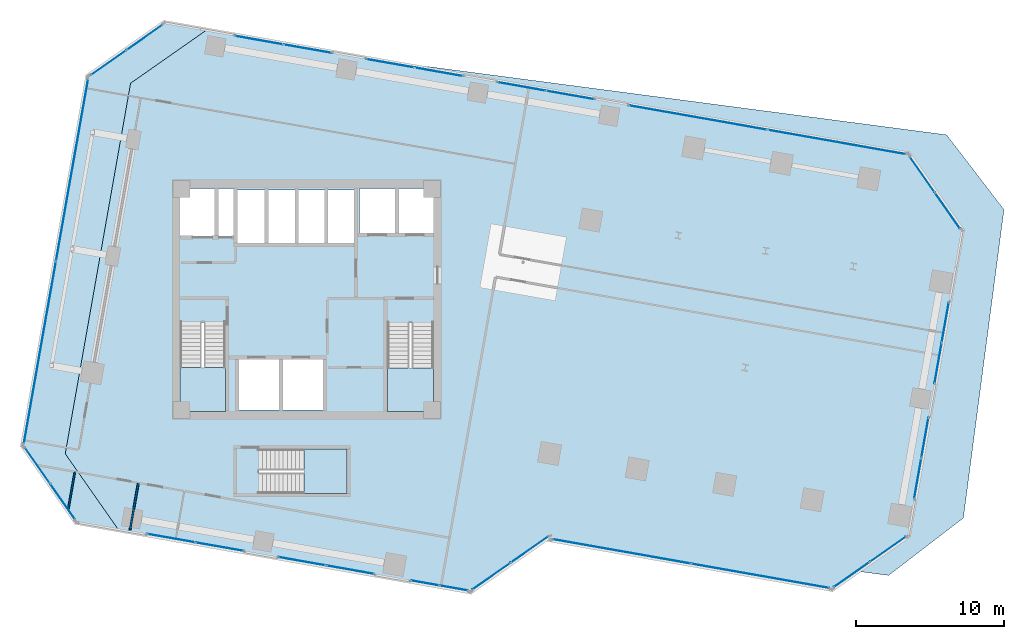
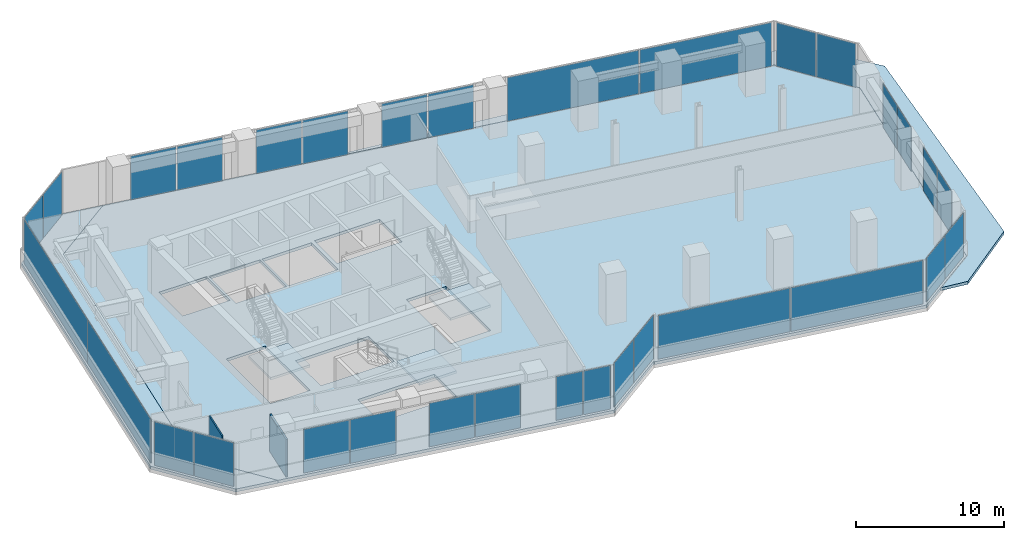
# One storey, part 18 of 24: 32 plates, 6 slabs, 2 walls, 19 elements without a shape of their own.
"""IFC4 building model written with IfcOpenShell, lengths in metres."""

from ifc_helpers import new_model, si_unit, direction, frame, frame_2d, origin, origin_2d, place, context, subcontext, project, spatial, polyline, rectangle, outline, extrude, source, transform, mapped, material, layer, layer_set, type_object, element, aggregate, save


model = new_model("IFC4")

# Units and contexts
model_context = context("Model", 3, precision=1e-05, world=origin(), true_north=direction((0.0, 1.0)))
body_context = subcontext(model_context, "Body", "Model", "MODEL_VIEW")
ifc_project = project(units=[si_unit("LENGTHUNIT", "METRE"), si_unit("AREAUNIT", "SQUARE_METRE"), si_unit("VOLUMEUNIT", "CUBIC_METRE"), si_unit("PLANEANGLEUNIT", "RADIAN"), si_unit("MASSUNIT", "GRAM", prefix="KILO")], contexts=[model_context])

# Site, building, storey
site_placement = place(None, origin())
site = spatial("IfcSite", under=ifc_project, at=site_placement, CompositionType="ELEMENT")
building_placement = place(site_placement, origin())
building = spatial("IfcBuilding", under=site, at=building_placement, Name="Torre Montelarca", CompositionType="ELEMENT")
storey_placement = place(building_placement, frame((0.0, 0.0, 74.800048828125)))
storey = spatial("IfcBuildingStorey", under=building, at=storey_placement, Name="L16", CompositionType="ELEMENT", Elevation=74.800048828125)

# Slabs
ifc_material_1 = material(Name="Concrete C40/50", Category="concrete")
ifc_layer_1 = layer(ifc_material_1, 0.239990234375, Name="Concrete C40/50", Category="concrete")
ifc_layer_set_1 = layer_set([ifc_layer_1], Name="Concrete C40/50")
slab_type_1 = type_object("IfcSlabType", Name="SL-FLR-240", PredefinedType="FLOOR", material=ifc_layer_set_1)
slab_1_placement = place(storey_placement, frame((0.0, 0.0, -0.239990234375)))
element("IfcSlab", 1, at=slab_1_placement, inside=storey, type_object=slab_type_1, Name="L16 Structural Floor Slab", PredefinedType="FLOOR", context=body_context, shape_type="SweptSolid", body=[
    extrude(outline(polyline([(29.073974609375, 12.18359375), (34.287109375, 15.833984375), (34.269775390625, 15.735595703125), (53.473388671875, 12.349365234375), (58.6865234375, 15.99951171875), (62.3330078125, 36.680419921875), (58.682861328125, 41.8935546875), (11.313720703125, 50.24609375), (6.1005859375, 46.595703125), (1.68994140625, 21.581787109375), (5.340087890625, 16.36865234375), (29.073974609375, 12.18359375)]), holes=[polyline([(20.699951171875, 18.89990234375), (14.760009765625, 18.89990234375), (14.760009765625, 21.889892578125), (20.699951171875, 21.889892578125), (20.699951171875, 18.89990234375)]), polyline([(19.10009765625, 24.550048828125), (13.39990234375, 24.550048828125), (13.39990234375, 27.949951171875), (19.10009765625, 27.949951171875), (19.10009765625, 24.550048828125)]), polyline([(23.43994140625, 24.449951171875), (23.43994140625, 30.429931640625), (26.550048828125, 30.429931640625), (26.550048828125, 24.449951171875), (23.43994140625, 24.449951171875)]), polyline([(9.449951171875, 24.449951171875), (9.449951171875, 30.4599609375), (12.5, 30.4599609375), (12.5, 24.449951171875), (9.449951171875, 24.449951171875)]), polyline([(17.25, 35.800048828125), (13.300048828125, 35.800048828125), (13.300048828125, 39.39990234375), (17.25, 39.39990234375), (17.25, 35.800048828125)]), polyline([(21.25, 35.800048828125), (17.39990234375, 35.800048828125), (17.39990234375, 39.39990234375), (21.25, 39.39990234375), (21.25, 35.800048828125)]), polyline([(13.1201171875, 36.300048828125), (9.449951171875, 36.300048828125), (9.449951171875, 39.5), (13.1201171875, 39.5), (13.1201171875, 36.300048828125)]), polyline([(26.60009765625, 36.449951171875), (21.550048828125, 36.449951171875), (21.550048828125, 39.5), (26.60009765625, 39.5), (26.60009765625, 36.449951171875)])]), origin(), (0.0, 0.0, 1.0), 0.239990234375),
])
slab_2_placement = place(storey_placement, frame((0.0, 0.0, -0.239990234375)))
element("IfcSlab", 2, at=slab_2_placement, inside=storey, type_object=slab_type_1, Name="L16 Sliding Tray Winter Garden Floor Slab W1", PredefinedType="FLOOR", context=body_context, shape_type="SweptSolid", body=[
    extrude(outline(polyline([(5.340087890625, 16.36865234375), (1.68994140625, 21.581787109375), (6.1005859375, 46.595703125), (11.313720703125, 50.24609375), (8.359130859375, 50.76708984375), (3.146240234375, 47.11669921875), (-1.264404296875, 22.102783203125), (2.3857421875, 16.8896484375), (5.340087890625, 16.36865234375)])), origin(), (0.0, 0.0, 1.0), 0.239990234375),
])
ifc_material_2 = material(Name="Architectural concrete C40/50", Category="concrete")
ifc_layer_2 = layer(ifc_material_2, 0.239990234375, Name="Architectural concrete C40/50", Category="concrete")
ifc_layer_set_2 = layer_set([ifc_layer_2], Name="Architectural concrete C40/50")
slab_type_2 = type_object("IfcSlabType", Name="SL-ROOF-EXT-240", PredefinedType="ROOF", material=ifc_layer_set_2)
slab_3_placement = place(storey_placement, frame((0.0, 0.0, -0.239990234375)))
element("IfcSlab", 3, at=slab_3_placement, inside=storey, type_object=slab_type_2, Name="L15 Setback and Tray Overhang Roof Cap Slab 01", PredefinedType="ROOF", context=body_context, shape_type="SweptSolid", body=[
    extrude(outline(polyline([(58.6875, 41.90087890625), (62.341552734375, 36.682373046875), (58.69384765625, 15.994873046875), (55.315185546875, 13.629150390625), (57.2744140625, 13.37109375), (62.323486328125, 17.245361328125), (65.064453125, 38.065673828125), (61.190185546875, 43.114501953125), (24.14599609375, 47.991455078125), (58.6875, 41.90087890625)])), origin(), (0.0, 0.0, 1.0), 0.239990234375),
])

# Stair, slab
stair_type_1 = type_object("IfcStairType", Name="ST-CORE-ST1", PredefinedType="HALF_TURN_STAIR", material=ifc_material_1)
stair_1_placement = place(storey_placement, origin())
stair_1 = element("IfcStair", 4, at=stair_1_placement, inside=storey, type_object=stair_type_1, Name="L16 Protected Exit Stair ST1", PredefinedType="HALF_TURN_STAIR")
ifc_layer_3 = layer(ifc_material_1, 0.199951171875, Name="Concrete C40/50", Category="concrete")
ifc_layer_set_3 = layer_set([ifc_layer_3], Name="Concrete C40/50")
slab_type_3 = type_object("IfcSlabType", Name="SL-ST-LAND-ST1", PredefinedType="LANDING", material=ifc_layer_set_3)
slab_4_placement = place(storey_placement, frame((0.0, 0.0, 1.89990234375)))
slab_4 = element("IfcSlab", 5, at=slab_4_placement, type_object=slab_type_3, Name="ST1 landing 1", PredefinedType="LANDING", context=body_context, shape_type="SweptSolid", body=[
    extrude(outline(polyline([(9.449951171875, 27.419921875), (9.449951171875, 24.449951171875), (12.5, 24.449951171875), (12.5, 27.419921875), (9.449951171875, 27.419921875)])), origin(), (0.0, 0.0, 1.0), 0.199951171875),
])
aggregate(stair_1, [slab_4])

stair_type_2 = type_object("IfcStairType", Name="ST-CORE-ST2", PredefinedType="HALF_TURN_STAIR", material=ifc_material_1)
stair_2_placement = place(storey_placement, origin())
stair_2 = element("IfcStair", 6, at=stair_2_placement, inside=storey, type_object=stair_type_2, Name="L16 Protected Exit Stair ST2", PredefinedType="HALF_TURN_STAIR")
ifc_layer_4 = layer(ifc_material_1, 0.199951171875, Name="Concrete C40/50", Category="concrete")
ifc_layer_set_4 = layer_set([ifc_layer_4], Name="Concrete C40/50")
slab_type_4 = type_object("IfcSlabType", Name="SL-ST-LAND-ST2", PredefinedType="LANDING", material=ifc_layer_set_4)
slab_5_placement = place(storey_placement, frame((0.0, 0.0, 1.89990234375)))
slab_5 = element("IfcSlab", 7, at=slab_5_placement, type_object=slab_type_4, Name="ST2 landing 1", PredefinedType="LANDING", context=body_context, shape_type="SweptSolid", body=[
    extrude(outline(polyline([(23.43994140625, 27.389892578125), (23.43994140625, 24.449951171875), (26.550048828125, 24.449951171875), (26.550048828125, 27.389892578125), (23.43994140625, 27.389892578125)])), origin(), (0.0, 0.0, 1.0), 0.199951171875),
])
aggregate(stair_2, [slab_5])

stair_type_3 = type_object("IfcStairType", Name="ST-CORE-ST3", PredefinedType="HALF_TURN_STAIR", material=ifc_material_1)
stair_3_placement = place(storey_placement, origin())
stair_3 = element("IfcStair", 8, at=stair_3_placement, inside=storey, type_object=stair_type_3, Name="L16 Low-Rise Exit Stair ST3", PredefinedType="HALF_TURN_STAIR")
ifc_layer_5 = layer(ifc_material_1, 0.199951171875, Name="Concrete C40/50", Category="concrete")
ifc_layer_set_5 = layer_set([ifc_layer_5], Name="Concrete C40/50")
slab_type_5 = type_object("IfcSlabType", Name="SL-ST-LAND-ST3", PredefinedType="LANDING", material=ifc_layer_set_5)
slab_6_placement = place(storey_placement, frame((0.0, 0.0, 1.89990234375)))
slab_6 = element("IfcSlab", 9, at=slab_6_placement, type_object=slab_type_5, Name="ST3 landing 1", PredefinedType="LANDING", context=body_context, shape_type="SweptSolid", body=[
    extrude(outline(polyline([(17.800048828125, 18.89990234375), (20.699951171875, 18.89990234375), (20.699951171875, 21.889892578125), (17.800048828125, 21.889892578125), (17.800048828125, 18.89990234375)])), origin(), (0.0, 0.0, 1.0), 0.199951171875),
])
aggregate(stair_3, [slab_6])

# Curtain wall, plates
ifc_material_3 = material(Name="Insulated low-E laminated glass", Category="glass")
curtain_wall_type = type_object("IfcCurtainWallType", Name="CW-SYS-Z1", PredefinedType="USERDEFINED", material=ifc_material_3)
curtain_wall_1_placement = place(storey_placement, origin())
curtain_wall_1 = element("IfcCurtainWall", 10, at=curtain_wall_1_placement, inside=storey, type_object=curtain_wall_type, Name="L16 Curtain Wall Run CW-T3-L16-E05-B1", ObjectType="UNITISED GLAZING", PredefinedType="USERDEFINED")
ifc_layer_6 = layer(ifc_material_3, 0.028076171875, Name="Insulated low-E laminated glass", Category="glass")
ifc_layer_set_6 = layer_set([ifc_layer_6], Name="Insulated low-E laminated glass")
plate_type = type_object("IfcPlateType", Name="CWP-GLZ-28", PredefinedType="CURTAIN_PANEL", material=ifc_layer_set_6)
shared_shape_1 = source(origin(), body_context, "Body", "SweptSolid", [
    extrude(rectangle(XDim=2.918701171875, YDim=0.028076171875, at=origin_2d()), origin(), (0.0, 0.0, 1.0), 3.590087890625),
])
plate_1_placement = place(storey_placement, frame((54.783203125, 13.42529296875, 0.06494140625), z_axis=(0.0, 0.0, 1.0), x_axis=(0.819173505874, 0.573545784811, 0.0)))
plate_1 = element("IfcPlate", 11, at=plate_1_placement, type_object=plate_type, Name="CW panel 1.1", PredefinedType="CURTAIN_PANEL", context=body_context, shape_type="MappedRepresentation", body=[
    mapped(shared_shape_1, transform((0.0, 0.0, 0.0), scale=1.0)),
])
plate_2_placement = place(storey_placement, frame((57.227294921875, 15.136474609375, 0.06494140625), z_axis=(0.0, 0.0, 1.0), x_axis=(0.819173505874, 0.573545784811, 0.0)))
plate_2 = element("IfcPlate", 12, at=plate_2_placement, type_object=plate_type, Name="CW panel 2.1", PredefinedType="CURTAIN_PANEL", context=body_context, shape_type="MappedRepresentation", body=[
    mapped(shared_shape_1, transform((0.0, 0.0, 0.0), scale=1.0)),
])
aggregate(curtain_wall_1, [plate_1, plate_2])

curtain_wall_2_placement = place(storey_placement, origin())
curtain_wall_2 = element("IfcCurtainWall", 13, at=curtain_wall_2_placement, inside=storey, type_object=curtain_wall_type, Name="L16 Curtain Wall Run CW-T3-L16-E07-B1", ObjectType="UNITISED GLAZING", PredefinedType="USERDEFINED")
plate_3_placement = place(storey_placement, frame((61.257080078125, 37.990478515625, 0.06494140625), z_axis=(0.0, 0.0, 1.0), x_axis=(-0.573545784811, 0.819173505874, 0.0)))
plate_3 = element("IfcPlate", 14, at=plate_3_placement, type_object=plate_type, Name="CW panel 1.1", PredefinedType="CURTAIN_PANEL", context=body_context, shape_type="MappedRepresentation", body=[
    mapped(shared_shape_1, transform((0.0, 0.0, 0.0), scale=1.0)),
])
plate_4_placement = place(storey_placement, frame((59.5458984375, 40.4345703125, 0.06494140625), z_axis=(0.0, 0.0, 1.0), x_axis=(-0.573545784811, 0.819173505874, 0.0)))
plate_4 = element("IfcPlate", 15, at=plate_4_placement, type_object=plate_type, Name="CW panel 2.1", PredefinedType="CURTAIN_PANEL", context=body_context, shape_type="MappedRepresentation", body=[
    mapped(shared_shape_1, transform((0.0, 0.0, 0.0), scale=1.0)),
])
aggregate(curtain_wall_2, [plate_3, plate_4])

curtain_wall_3_placement = place(storey_placement, origin())
curtain_wall_3 = element("IfcCurtainWall", 16, at=curtain_wall_3_placement, inside=storey, type_object=curtain_wall_type, Name="L16 Curtain Wall Run CW-T3-L16-E09-B1", ObjectType="UNITISED GLAZING", PredefinedType="USERDEFINED")
plate_5_placement = place(storey_placement, frame((7.04931640625, 49.69091796875, 0.06494140625), z_axis=(0.0, 0.0, 1.0), x_axis=(-0.819168052546, -0.573553573511, 0.0)))
plate_5 = element("IfcPlate", 17, at=plate_5_placement, type_object=plate_type, Name="CW panel 1.1", PredefinedType="CURTAIN_PANEL", context=body_context, shape_type="MappedRepresentation", body=[
    mapped(shared_shape_1, transform((0.0, 0.0, 0.0), scale=1.0)),
])
plate_6_placement = place(storey_placement, frame((4.605224609375, 47.979736328125, 0.06494140625), z_axis=(0.0, 0.0, 1.0), x_axis=(-0.819168052546, -0.573553573511, 0.0)))
plate_6 = element("IfcPlate", 18, at=plate_6_placement, type_object=plate_type, Name="CW panel 2.1", PredefinedType="CURTAIN_PANEL", context=body_context, shape_type="MappedRepresentation", body=[
    mapped(shared_shape_1, transform((0.0, 0.0, 0.0), scale=1.0)),
])
aggregate(curtain_wall_3, [plate_5, plate_6])

curtain_wall_4_placement = place(storey_placement, origin())
curtain_wall_4 = element("IfcCurtainWall", 19, at=curtain_wall_4_placement, inside=storey, type_object=curtain_wall_type, Name="L16 Curtain Wall Run CW-T3-L16-E11-B1", ObjectType="UNITISED GLAZING", PredefinedType="USERDEFINED")
plate_7_placement = place(storey_placement, frame((-0.1884765625, 20.792724609375, 0.06494140625), z_axis=(0.0, 0.0, 1.0), x_axis=(0.573545784811, -0.819173505874, 0.0)))
plate_7 = element("IfcPlate", 20, at=plate_7_placement, type_object=plate_type, Name="CW panel 1.1", PredefinedType="CURTAIN_PANEL", context=body_context, shape_type="MappedRepresentation", body=[
    mapped(shared_shape_1, transform((0.0, 0.0, 0.0), scale=1.0)),
])
plate_8_placement = place(storey_placement, frame((1.522705078125, 18.3486328125, 0.06494140625), z_axis=(0.0, 0.0, 1.0), x_axis=(0.573545784811, -0.819173505874, 0.0)))
plate_8 = element("IfcPlate", 21, at=plate_8_placement, type_object=plate_type, Name="CW panel 2.1", PredefinedType="CURTAIN_PANEL", context=body_context, shape_type="MappedRepresentation", body=[
    mapped(shared_shape_1, transform((0.0, 0.0, 0.0), scale=1.0)),
])
aggregate(curtain_wall_4, [plate_7, plate_8])

curtain_wall_5_placement = place(storey_placement, origin())
curtain_wall_5 = element("IfcCurtainWall", 22, at=curtain_wall_5_placement, inside=storey, type_object=curtain_wall_type, Name="L16 Curtain Wall Run CW-T3-L16-E01-B1", ObjectType="UNITISED GLAZING", PredefinedType="USERDEFINED")
shared_shape_2 = source(origin(), body_context, "Body", "SweptSolid", [
    extrude(rectangle(XDim=3.2724609375, YDim=0.028076171875, at=origin_2d()), origin(), (0.0, 0.0, 1.0), 3.590087890625),
])
plate_9_placement = place(storey_placement, frame((8.84033203125, 15.883544921875, 0.06494140625), z_axis=(0.0, 0.0, 1.0), x_axis=(0.984807000305, -0.173652446425, 0.0)))
plate_9 = element("IfcPlate", 23, at=plate_9_placement, type_object=plate_type, Name="CW panel 1.1", PredefinedType="CURTAIN_PANEL", context=body_context, shape_type="MappedRepresentation", body=[
    mapped(shared_shape_2, transform((0.0, 0.0, 0.0), scale=1.0)),
])
plate_10_placement = place(storey_placement, frame((12.127197265625, 15.303955078125, 0.06494140625), z_axis=(0.0, 0.0, 1.0), x_axis=(0.984807000305, -0.173652446425, 0.0)))
plate_10 = element("IfcPlate", 24, at=plate_10_placement, type_object=plate_type, Name="CW panel 2.1", PredefinedType="CURTAIN_PANEL", context=body_context, shape_type="MappedRepresentation", body=[
    mapped(shared_shape_2, transform((0.0, 0.0, 0.0), scale=1.0)),
])
aggregate(curtain_wall_5, [plate_9, plate_10])

curtain_wall_6_placement = place(storey_placement, origin())
curtain_wall_6 = element("IfcCurtainWall", 25, at=curtain_wall_6_placement, inside=storey, type_object=curtain_wall_type, Name="L16 Curtain Wall Run CW-T3-L16-E08-B2", ObjectType="UNITISED GLAZING", PredefinedType="USERDEFINED")
plate_11_placement = place(storey_placement, frame((35.781982421875, 45.799560546875, 0.06494140625), z_axis=(0.0, 0.0, 1.0), x_axis=(-0.984807447707, 0.173649909131, 0.0)))
plate_11 = element("IfcPlate", 26, at=plate_11_placement, type_object=plate_type, Name="CW panel 1.1", PredefinedType="CURTAIN_PANEL", context=body_context, shape_type="MappedRepresentation", body=[
    mapped(shared_shape_2, transform((0.0, 0.0, 0.0), scale=1.0)),
])
plate_12_placement = place(storey_placement, frame((32.4951171875, 46.379150390625, 0.06494140625), z_axis=(0.0, 0.0, 1.0), x_axis=(-0.984807447707, 0.173649909131, 0.0)))
plate_12 = element("IfcPlate", 27, at=plate_12_placement, type_object=plate_type, Name="CW panel 2.1", PredefinedType="CURTAIN_PANEL", context=body_context, shape_type="MappedRepresentation", body=[
    mapped(shared_shape_2, transform((0.0, 0.0, 0.0), scale=1.0)),
])
aggregate(curtain_wall_6, [plate_11, plate_12])

curtain_wall_7_placement = place(storey_placement, origin())
curtain_wall_7 = element("IfcCurtainWall", 28, at=curtain_wall_7_placement, inside=storey, type_object=curtain_wall_type, Name="L16 Curtain Wall Run CW-T3-L16-E08-B3", ObjectType="UNITISED GLAZING", PredefinedType="USERDEFINED")
plate_13_placement = place(storey_placement, frame((26.918701171875, 47.3623046875, 0.06494140625), z_axis=(0.0, 0.0, 1.0), x_axis=(-0.984807447707, 0.173649909131, 0.0)))
plate_13 = element("IfcPlate", 29, at=plate_13_placement, type_object=plate_type, Name="CW panel 1.1", PredefinedType="CURTAIN_PANEL", context=body_context, shape_type="MappedRepresentation", body=[
    mapped(shared_shape_2, transform((0.0, 0.0, 0.0), scale=1.0)),
])
plate_14_placement = place(storey_placement, frame((23.6318359375, 47.94189453125, 0.06494140625), z_axis=(0.0, 0.0, 1.0), x_axis=(-0.984807447707, 0.173649909131, 0.0)))
plate_14 = element("IfcPlate", 30, at=plate_14_placement, type_object=plate_type, Name="CW panel 2.1", PredefinedType="CURTAIN_PANEL", context=body_context, shape_type="MappedRepresentation", body=[
    mapped(shared_shape_2, transform((0.0, 0.0, 0.0), scale=1.0)),
])
aggregate(curtain_wall_7, [plate_13, plate_14])

curtain_wall_8_placement = place(storey_placement, origin())
curtain_wall_8 = element("IfcCurtainWall", 31, at=curtain_wall_8_placement, inside=storey, type_object=curtain_wall_type, Name="L16 Curtain Wall Run CW-T3-L16-E08-B4", ObjectType="UNITISED GLAZING", PredefinedType="USERDEFINED")
plate_15_placement = place(storey_placement, frame((18.055419921875, 48.92529296875, 0.06494140625), z_axis=(0.0, 0.0, 1.0), x_axis=(-0.984807000305, 0.173652446425, 0.0)))
plate_15 = element("IfcPlate", 32, at=plate_15_placement, type_object=plate_type, Name="CW panel 1.1", PredefinedType="CURTAIN_PANEL", context=body_context, shape_type="MappedRepresentation", body=[
    mapped(shared_shape_2, transform((0.0, 0.0, 0.0), scale=1.0)),
])
plate_16_placement = place(storey_placement, frame((14.768798828125, 49.5048828125, 0.06494140625), z_axis=(0.0, 0.0, 1.0), x_axis=(-0.984807000305, 0.173652446425, 0.0)))
plate_16 = element("IfcPlate", 33, at=plate_16_placement, type_object=plate_type, Name="CW panel 2.1", PredefinedType="CURTAIN_PANEL", context=body_context, shape_type="MappedRepresentation", body=[
    mapped(shared_shape_2, transform((0.0, 0.0, 0.0), scale=1.0)),
])
aggregate(curtain_wall_8, [plate_15, plate_16])

curtain_wall_9_placement = place(storey_placement, origin())
curtain_wall_9 = element("IfcCurtainWall", 34, at=curtain_wall_9_placement, inside=storey, type_object=curtain_wall_type, Name="L16 Curtain Wall Run CW-T3-L16-E01-B2", ObjectType="UNITISED GLAZING", PredefinedType="USERDEFINED")
shared_shape_3 = source(origin(), body_context, "Body", "SweptSolid", [
    extrude(rectangle(XDim=3.23486328125, YDim=0.028076171875, at=origin_2d()), origin(), (0.0, 0.0, 1.0), 3.590087890625),
])
plate_17_placement = place(storey_placement, frame((17.68505859375, 14.323974609375, 0.06494140625), z_axis=(0.0, 0.0, 1.0), x_axis=(0.984806660044, -0.173654376084, 0.0)))
plate_17 = element("IfcPlate", 35, at=plate_17_placement, type_object=plate_type, Name="CW panel 1.1", PredefinedType="CURTAIN_PANEL", context=body_context, shape_type="MappedRepresentation", body=[
    mapped(shared_shape_3, transform((0.0, 0.0, 0.0), scale=1.0)),
])
plate_18_placement = place(storey_placement, frame((20.93505859375, 13.7509765625, 0.06494140625), z_axis=(0.0, 0.0, 1.0), x_axis=(0.984806660044, -0.173654376084, 0.0)))
plate_18 = element("IfcPlate", 36, at=plate_18_placement, type_object=plate_type, Name="CW panel 2.1", PredefinedType="CURTAIN_PANEL", context=body_context, shape_type="MappedRepresentation", body=[
    mapped(shared_shape_3, transform((0.0, 0.0, 0.0), scale=1.0)),
])
aggregate(curtain_wall_9, [plate_17, plate_18])

curtain_wall_10_placement = place(storey_placement, origin())
curtain_wall_10 = element("IfcCurtainWall", 37, at=curtain_wall_10_placement, inside=storey, type_object=curtain_wall_type, Name="L16 Curtain Wall Run CW-T3-L16-E01-B3", ObjectType="UNITISED GLAZING", PredefinedType="USERDEFINED")
shared_shape_4 = source(origin(), body_context, "Body", "SweptSolid", [
    extrude(rectangle(XDim=1.9169921875, YDim=0.028076171875, at=origin_2d()), origin(), (0.0, 0.0, 1.0), 3.590087890625),
])
plate_19_placement = place(storey_placement, frame((25.973388671875, 12.862548828125, 0.06494140625), z_axis=(0.0, 0.0, 1.0), x_axis=(0.98480978289, -0.173636665264, 0.0)))
plate_19 = element("IfcPlate", 38, at=plate_19_placement, type_object=plate_type, Name="CW panel 1.1", PredefinedType="CURTAIN_PANEL", context=body_context, shape_type="MappedRepresentation", body=[
    mapped(shared_shape_4, transform((0.0, 0.0, 0.0), scale=1.0)),
])
plate_20_placement = place(storey_placement, frame((27.92529296875, 12.518310546875, 0.06494140625), z_axis=(0.0, 0.0, 1.0), x_axis=(0.98480978289, -0.173636665264, 0.0)))
plate_20 = element("IfcPlate", 39, at=plate_20_placement, type_object=plate_type, Name="CW panel 2.1", PredefinedType="CURTAIN_PANEL", context=body_context, shape_type="MappedRepresentation", body=[
    mapped(shared_shape_4, transform((0.0, 0.0, 0.0), scale=1.0)),
])
aggregate(curtain_wall_10, [plate_19, plate_20])

curtain_wall_11_placement = place(storey_placement, origin())
curtain_wall_11 = element("IfcCurtainWall", 40, at=curtain_wall_11_placement, inside=storey, type_object=curtain_wall_type, Name="L16 Curtain Wall Run CW-T3-L16-E02-B1", ObjectType="UNITISED GLAZING", PredefinedType="USERDEFINED")
shared_shape_5 = source(origin(), body_context, "Body", "SweptSolid", [
    extrude(rectangle(XDim=3.1025390625, YDim=0.028076171875, at=origin_2d()), origin(), (0.0, 0.0, 1.0), 3.590087890625),
])
plate_21_placement = place(storey_placement, frame((30.459228515625, 13.3125, 0.06494140625), z_axis=(0.0, 0.0, 1.0), x_axis=(0.819162914987, 0.573560911072, 0.0)))
plate_21 = element("IfcPlate", 41, at=plate_21_placement, type_object=plate_type, Name="CW panel 1.1", PredefinedType="CURTAIN_PANEL", context=body_context, shape_type="MappedRepresentation", body=[
    mapped(shared_shape_5, transform((0.0, 0.0, 0.0), scale=1.0)),
])
plate_22_placement = place(storey_placement, frame((33.053955078125, 15.129150390625, 0.06494140625), z_axis=(0.0, 0.0, 1.0), x_axis=(0.819162914987, 0.573560911072, 0.0)))
plate_22 = element("IfcPlate", 42, at=plate_22_placement, type_object=plate_type, Name="CW panel 2.1", PredefinedType="CURTAIN_PANEL", context=body_context, shape_type="MappedRepresentation", body=[
    mapped(shared_shape_5, transform((0.0, 0.0, 0.0), scale=1.0)),
])
aggregate(curtain_wall_11, [plate_21, plate_22])

curtain_wall_12_placement = place(storey_placement, origin())
curtain_wall_12 = element("IfcCurtainWall", 43, at=curtain_wall_12_placement, inside=storey, type_object=curtain_wall_type, Name="L16 Curtain Wall Run CW-T3-L16-E04-B1", ObjectType="UNITISED GLAZING", PredefinedType="USERDEFINED")
shared_shape_6 = source(origin(), body_context, "Body", "SweptSolid", [
    extrude(rectangle(XDim=9.448486328125, YDim=0.028076171875, at=origin_2d()), origin(), (0.0, 0.0, 1.0), 3.590087890625),
])
plate_23_placement = place(storey_placement, frame((39.2470703125, 14.98974609375, 0.06494140625), z_axis=(0.0, 0.0, 1.0), x_axis=(0.984808647741, -0.173643103331, 0.0)))
plate_23 = element("IfcPlate", 44, at=plate_23_placement, type_object=plate_type, Name="CW panel 1.1", PredefinedType="CURTAIN_PANEL", context=body_context, shape_type="MappedRepresentation", body=[
    mapped(shared_shape_6, transform((0.0, 0.0, 0.0), scale=1.0)),
])
plate_24_placement = place(storey_placement, frame((48.6162109375, 13.337890625, 0.06494140625), z_axis=(0.0, 0.0, 1.0), x_axis=(0.984808647741, -0.173643103331, 0.0)))
plate_24 = element("IfcPlate", 45, at=plate_24_placement, type_object=plate_type, Name="CW panel 2.1", PredefinedType="CURTAIN_PANEL", context=body_context, shape_type="MappedRepresentation", body=[
    mapped(shared_shape_6, transform((0.0, 0.0, 0.0), scale=1.0)),
])
aggregate(curtain_wall_12, [plate_23, plate_24])

curtain_wall_13_placement = place(storey_placement, origin())
curtain_wall_13 = element("IfcCurtainWall", 46, at=curtain_wall_13_placement, inside=storey, type_object=curtain_wall_type, Name="L16 Curtain Wall Run CW-T3-L16-E06-B1", ObjectType="UNITISED GLAZING", PredefinedType="USERDEFINED")
shared_shape_7 = source(origin(), body_context, "Body", "SweptSolid", [
    extrude(rectangle(XDim=2.73486328125, YDim=0.028076171875, at=origin_2d()), origin(), (0.0, 0.0, 1.0), 3.590087890625),
])
plate_25_placement = place(storey_placement, frame((59.2421875, 19.89990234375, 0.06494140625), z_axis=(0.0, 0.0, 1.0), x_axis=(0.173646364198, 0.984808072774, 0.0)))
plate_25 = element("IfcPlate", 47, at=plate_25_placement, type_object=plate_type, Name="CW panel 1.1", PredefinedType="CURTAIN_PANEL", context=body_context, shape_type="MappedRepresentation", body=[
    mapped(shared_shape_7, transform((0.0, 0.0, 0.0), scale=1.0)),
])
plate_26_placement = place(storey_placement, frame((59.728515625, 22.6572265625, 0.06494140625), z_axis=(0.0, 0.0, 1.0), x_axis=(0.173646364198, 0.984808072774, 0.0)))
plate_26 = element("IfcPlate", 48, at=plate_26_placement, type_object=plate_type, Name="CW panel 2.1", PredefinedType="CURTAIN_PANEL", context=body_context, shape_type="MappedRepresentation", body=[
    mapped(shared_shape_7, transform((0.0, 0.0, 0.0), scale=1.0)),
])
aggregate(curtain_wall_13, [plate_25, plate_26])

curtain_wall_14_placement = place(storey_placement, origin())
curtain_wall_14 = element("IfcCurtainWall", 49, at=curtain_wall_14_placement, inside=storey, type_object=curtain_wall_type, Name="L16 Curtain Wall Run CW-T3-L16-E06-B2", ObjectType="UNITISED GLAZING", PredefinedType="USERDEFINED")
shared_shape_8 = source(origin(), body_context, "Body", "SweptSolid", [
    extrude(rectangle(XDim=2.735107421875, YDim=0.028076171875, at=origin_2d()), origin(), (0.0, 0.0, 1.0), 3.590087890625),
])
plate_27_placement = place(storey_placement, frame((60.618408203125, 27.704345703125, 0.06494140625), z_axis=(0.0, 0.0, 1.0), x_axis=(0.173643345546, 0.984808605033, 0.0)))
plate_27 = element("IfcPlate", 50, at=plate_27_placement, type_object=plate_type, Name="CW panel 1.1", PredefinedType="CURTAIN_PANEL", context=body_context, shape_type="MappedRepresentation", body=[
    mapped(shared_shape_8, transform((0.0, 0.0, 0.0), scale=1.0)),
])
plate_28_placement = place(storey_placement, frame((61.1044921875, 30.4619140625, 0.06494140625), z_axis=(0.0, 0.0, 1.0), x_axis=(0.173643345546, 0.984808605033, 0.0)))
plate_28 = element("IfcPlate", 51, at=plate_28_placement, type_object=plate_type, Name="CW panel 2.1", PredefinedType="CURTAIN_PANEL", context=body_context, shape_type="MappedRepresentation", body=[
    mapped(shared_shape_8, transform((0.0, 0.0, 0.0), scale=1.0)),
])
aggregate(curtain_wall_14, [plate_27, plate_28])

curtain_wall_15_placement = place(storey_placement, origin())
curtain_wall_15 = element("IfcCurtainWall", 52, at=curtain_wall_15_placement, inside=storey, type_object=curtain_wall_type, Name="L16 Curtain Wall Run CW-T3-L16-E08-B1", ObjectType="UNITISED GLAZING", PredefinedType="USERDEFINED")
shared_shape_9 = source(origin(), body_context, "Body", "SweptSolid", [
    extrude(rectangle(XDim=9.45458984375, YDim=0.028076171875, at=origin_2d()), origin(), (0.0, 0.0, 1.0), 3.590087890625),
])
plate_29_placement = place(storey_placement, frame((53.777587890625, 42.62646484375, 0.06494140625), z_axis=(0.0, 0.0, 1.0), x_axis=(-0.984808631876, 0.173643193311, 0.0)))
plate_29 = element("IfcPlate", 53, at=plate_29_placement, type_object=plate_type, Name="CW panel 1.1", PredefinedType="CURTAIN_PANEL", context=body_context, shape_type="MappedRepresentation", body=[
    mapped(shared_shape_9, transform((0.0, 0.0, 0.0), scale=1.0)),
])
plate_30_placement = place(storey_placement, frame((44.402587890625, 44.279541015625, 0.06494140625), z_axis=(0.0, 0.0, 1.0), x_axis=(-0.984808631876, 0.173643193311, 0.0)))
plate_30 = element("IfcPlate", 54, at=plate_30_placement, type_object=plate_type, Name="CW panel 2.1", PredefinedType="CURTAIN_PANEL", context=body_context, shape_type="MappedRepresentation", body=[
    mapped(shared_shape_9, transform((0.0, 0.0, 0.0), scale=1.0)),
])
aggregate(curtain_wall_15, [plate_29, plate_30])

curtain_wall_16_placement = place(storey_placement, origin())
curtain_wall_16 = element("IfcCurtainWall", 55, at=curtain_wall_16_placement, inside=storey, type_object=curtain_wall_type, Name="L16 Curtain Wall Run CW-T3-L16-E10-B1", ObjectType="UNITISED GLAZING", PredefinedType="USERDEFINED")
shared_shape_10 = source(origin(), body_context, "Body", "SweptSolid", [
    extrude(rectangle(XDim=12.4365234375, YDim=0.028076171875, at=origin_2d()), origin(), (0.0, 0.0, 1.0), 3.590087890625),
])
plate_31_placement = place(storey_placement, frame((2.154296875, 40.7431640625, 0.06494140625), z_axis=(0.0, 0.0, 1.0), x_axis=(-0.173646061274, -0.984808126187, 0.0)))
plate_31 = element("IfcPlate", 56, at=plate_31_placement, type_object=plate_type, Name="CW panel 1.1", PredefinedType="CURTAIN_PANEL", context=body_context, shape_type="MappedRepresentation", body=[
    mapped(shared_shape_10, transform((0.0, 0.0, 0.0), scale=1.0)),
])
plate_32_placement = place(storey_placement, frame((-0.0166015625, 28.431396484375, 0.06494140625), z_axis=(0.0, 0.0, 1.0), x_axis=(-0.173646061274, -0.984808126187, 0.0)))
plate_32 = element("IfcPlate", 57, at=plate_32_placement, type_object=plate_type, Name="CW panel 2.1", PredefinedType="CURTAIN_PANEL", context=body_context, shape_type="MappedRepresentation", body=[
    mapped(shared_shape_10, transform((0.0, 0.0, 0.0), scale=1.0)),
])
aggregate(curtain_wall_16, [plate_31, plate_32])

# Walls
ifc_material_4 = material(Name="Acoustic laminated glass partition", Category="glass")
ifc_layer_7 = layer(ifc_material_4, 0.10009765625, Name="Acoustic laminated glass partition", Category="glass")
ifc_layer_set_7 = layer_set([ifc_layer_7], Name="Acoustic laminated glass partition")
wall_type_1 = type_object("IfcWallType", Name="PW-GLAZ-100", PredefinedType="PARTITIONING", material=ifc_layer_set_7)
wall_1_placement = place(storey_placement, frame((1.899658203125, 17.876953125, 0.0), z_axis=(0.0, 0.0, 1.0), x_axis=(0.173701499557, 0.984798349436, 0.0)))
element("IfcWall", 58, at=wall_1_placement, inside=storey, type_object=wall_type_1, Name="L16 Interior Partition W-L16-WCW", PredefinedType="PARTITIONING", context=body_context, shape_type="SweptSolid", body=[
    extrude(rectangle(XDim=2.491943359375, YDim=0.10009765625, at=frame_2d((1.24609375, 0.0))), origin(), (0.0, 0.0, 1.0), 3.9599609375),
])
ifc_material_5 = material(Name="Gypsum plasterboard on steel stud", Category="steel")
ifc_layer_8 = layer(ifc_material_5, 0.114990234375, Name="Gypsum plasterboard on steel stud", Category="steel")
ifc_layer_set_8 = layer_set([ifc_layer_8], Name="Gypsum plasterboard on steel stud")
wall_type_2 = type_object("IfcWallType", Name="PW-PART-115", PredefinedType="PARTITIONING", material=ifc_layer_set_8)
wall_2_placement = place(storey_placement, frame((6.060791015625, 16.42431640625, 0.0), z_axis=(0.0, 0.0, 1.0), x_axis=(0.173646056486, 0.984808127031, 0.0)))
element("IfcWall", 59, at=wall_2_placement, inside=storey, type_object=wall_type_2, Name="L16 Interior Partition W-L16-WCD", PredefinedType="PARTITIONING", context=body_context, shape_type="SweptSolid", body=[
    extrude(rectangle(XDim=3.199951171875, YDim=0.114990234375, at=frame_2d((1.60009765625, 0.0))), origin(), (0.0, 0.0, 1.0), 3.094970703125),
])

save(model, "model.ifc")
